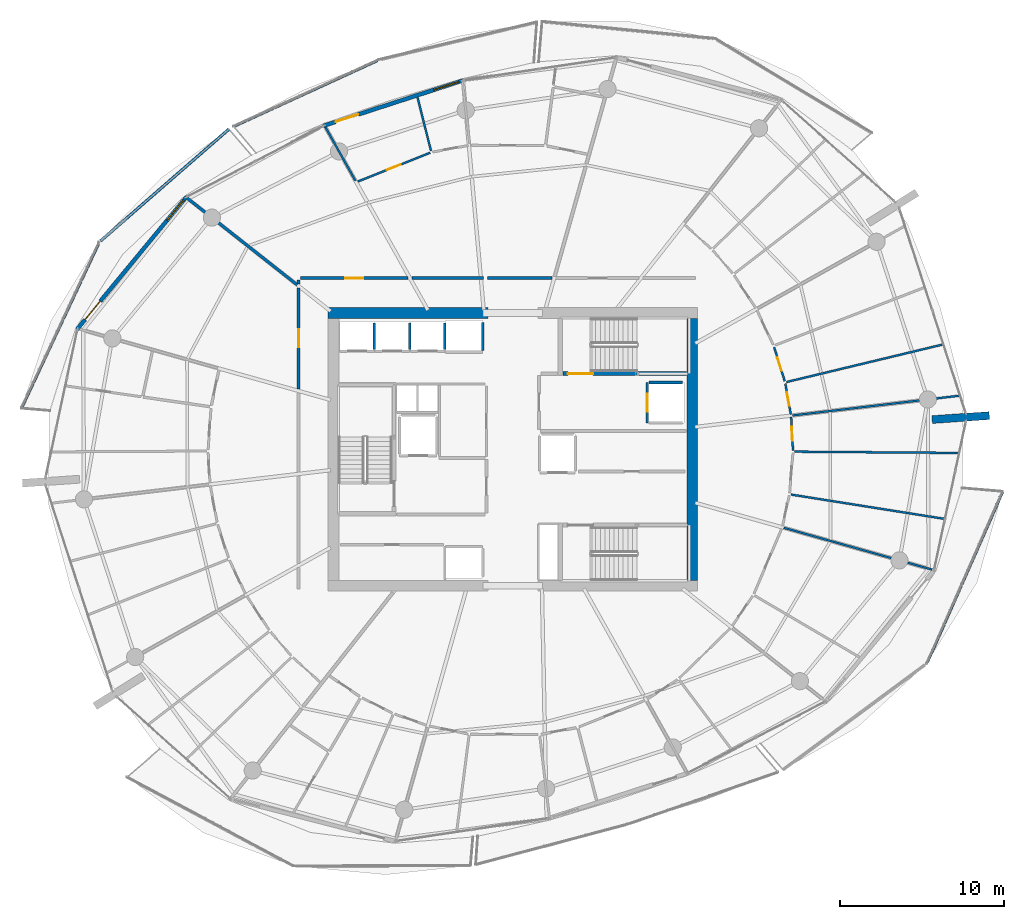
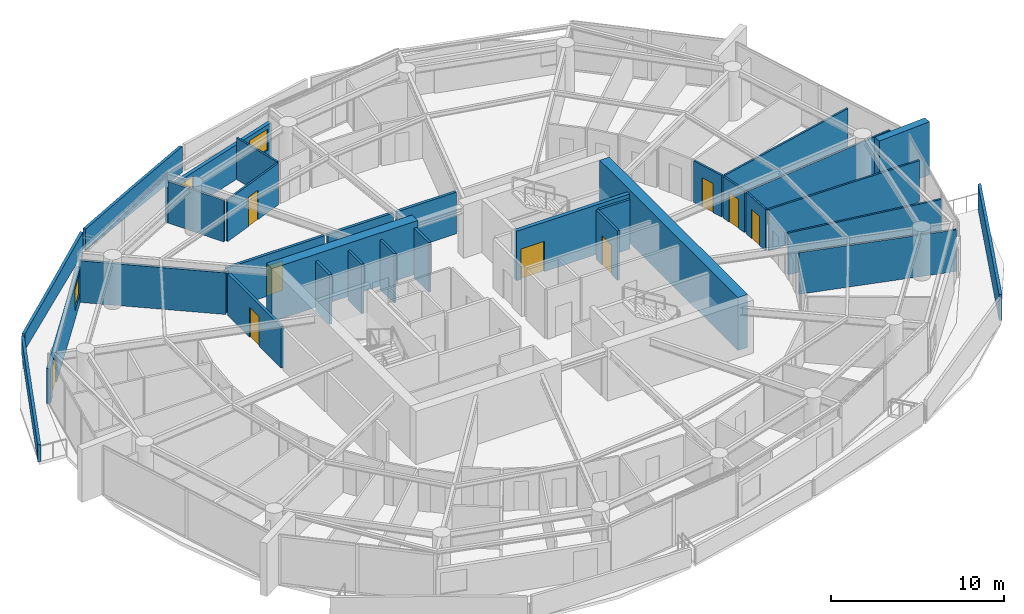
# One storey, part 14 of 21: 33 walls, 10 doors, 2 windows, 12 openings.
"""IFC4 building model written with IfcOpenShell, lengths in metres."""

from ifc_helpers import new_model, si_unit, direction, frame, frame_2d, origin, place, context, subcontext, project, spatial, polyline, rectangle, outline, extrude, material, layer, layer_set, type_object, element, fill, save


model = new_model("IFC4")

# Units and contexts
model_context = context("Model", 3, precision=1e-05, world=origin(), true_north=direction((0.0, 1.0)))
body_context = subcontext(model_context, "Body", "Model", "MODEL_VIEW")
ifc_project = project(units=[si_unit("LENGTHUNIT", "METRE"), si_unit("AREAUNIT", "SQUARE_METRE"), si_unit("VOLUMEUNIT", "CUBIC_METRE"), si_unit("PLANEANGLEUNIT", "RADIAN"), si_unit("MASSUNIT", "GRAM", prefix="KILO")], contexts=[model_context])

# Site, building, storey
site_placement = place(None, origin())
site = spatial("IfcSite", under=ifc_project, at=site_placement, CompositionType="ELEMENT")
building_placement = place(site_placement, origin())
building = spatial("IfcBuilding", under=site, at=building_placement, Name="Kazma Halo Residences", CompositionType="ELEMENT")
storey_placement = place(building_placement, frame((0.0, 0.0, 184.050048828125)))
storey = spatial("IfcBuildingStorey", under=building, at=storey_placement, Name="L46", CompositionType="ELEMENT", Elevation=184.050048828125)

# Walls
ifc_material_1 = material(Name="White Concrete C50/60 Balustrade", Category="concrete")
ifc_layer_1 = layer(ifc_material_1, 0.179931640625)
ifc_layer_set_1 = layer_set([ifc_layer_1], Name="White Concrete C50/60 Balustrade")
wall_type_1 = type_object("IfcWallType", Name="WL-BAL-WAVE-180", PredefinedType="PARAPET", material=ifc_layer_set_1)
wall_1_placement = place(storey_placement, frame((40.160888671875, 65.74072265625, 0.0), z_axis=(0.0, 0.0, 1.0), x_axis=(-0.9090221771, -0.416747743294, 0.0)))
element("IfcWall", 1, at=wall_1_placement, inside=storey, type_object=wall_type_1, Name="L46 white wave balustrade wall NNW.2", PredefinedType="PARAPET", context=body_context, shape_type="SweptSolid", body=[
    extrude(outline(polyline([(0.0, 0.0), (9.66845703125, 0.0), (9.66845703125, 1.4970703125), (4.834228515625, 1.696044921875), (0.0, 1.83203125), (0.0, 0.0)])), frame((0.0, 0.08984375, 0.0), z_axis=(0.0, -1.0, 0.0), x_axis=(1.0, 0.0, 0.0)), (0.0, 0.0, 1.0), 0.179931640625),
])
wall_2_placement = place(storey_placement, frame((31.09814453125, 61.54638671875, 0.0), z_axis=(0.0, 0.0, 1.0), x_axis=(-0.754130048188, -0.65672511024, 0.0)))
element("IfcWall", 2, at=wall_2_placement, inside=storey, type_object=wall_type_1, Name="L46 white wave balustrade wall NW.1", PredefinedType="PARAPET", context=body_context, shape_type="SweptSolid", body=[
    extrude(outline(polyline([(0.0, 0.0), (10.38427734375, 0.0), (10.384033203125, 1.14794921875), (5.192138671875, 1.283935546875), (0.0, 1.48291015625), (0.0, 0.0)])), frame((0.0, 0.08984375, 0.0), z_axis=(0.0, -1.0, 0.0), x_axis=(1.0, 0.0, 0.0)), (0.0, 0.0, 1.0), 0.179931640625),
])
wall_3_placement = place(storey_placement, frame((23.125732421875, 54.539306640625, 0.0), z_axis=(0.0, 0.0, 1.0), x_axis=(-0.424187068479, -0.90557458607, 0.0)))
element("IfcWall", 3, at=wall_3_placement, inside=storey, type_object=wall_type_1, Name="L46 white wave balustrade wall NW.2", PredefinedType="PARAPET", context=body_context, shape_type="SweptSolid", body=[
    extrude(outline(polyline([(0.0, 0.0), (11.075927734375, 0.0), (11.075927734375, 1.223876953125), (5.5380859375, 1.126953125), (0.0, 1.14794921875), (0.0, 0.0)])), frame((0.0, 0.08984375, 0.0), z_axis=(0.0, -1.0, 0.0), x_axis=(1.0, 0.0, 0.0)), (0.0, 0.0, 1.0), 0.179931640625),
])
wall_4_placement = place(storey_placement, frame((73.727783203125, 29.025390625, 0.0), z_axis=(0.0, 0.0, 1.0), x_axis=(0.403762319035, 0.914863918694, 0.0)))
element("IfcWall", 4, at=wall_4_placement, inside=storey, type_object=wall_type_1, Name="L46 white wave balustrade wall SE.2", PredefinedType="PARAPET", context=body_context, shape_type="SweptSolid", body=[
    extrude(outline(polyline([(0.0, 0.0), (11.3701171875, 0.0), (11.369873046875, 1.755859375), (5.684814453125, 1.85302734375), (0.0, 1.83203125), (0.0, 0.0)])), frame((0.0, 0.08984375, 0.0), z_axis=(0.0, -1.0, 0.0), x_axis=(1.0, 0.0, 0.0)), (0.0, 0.0, 1.0), 0.179931640625),
])
ifc_material_2 = material(Name="Pale Concrete C60/75", Category="concrete")
ifc_layer_2 = layer(ifc_material_2, 0.47998046875)
ifc_layer_set_2 = layer_set([ifc_layer_2], Name="Pale Concrete C60/75")
wall_type_2 = type_object("IfcWallType", Name="WL-BLADE-480", PredefinedType="SOLIDWALL", material=ifc_layer_set_2)
wall_5_placement = place(storey_placement, frame((74.0126953125, 43.819091796875, 0.0), z_axis=(0.0, 0.0, 1.0), x_axis=(0.997568676264, 0.069690287244, 0.0)))
element("IfcWall", 5, at=wall_5_placement, inside=storey, type_object=wall_type_2, Name="L46 pale concrete structural blade fin wall BW-04", PredefinedType="SOLIDWALL", context=body_context, shape_type="SweptSolid", body=[
    extrude(rectangle(XDim=3.499755859375, YDim=0.47998046875, at=frame_2d((1.75, 0.0))), origin(), (0.0, 0.0, 1.0), 3.75),
])
ifc_material_3 = material(Name="Concrete C60/75", Category="concrete")
ifc_layer_3 = layer(ifc_material_3, 0.64990234375)
ifc_layer_set_3 = layer_set([ifc_layer_3], Name="Concrete C60/75")
wall_type_3 = type_object("IfcWallType", Name="WL-CORE-650", PredefinedType="SHEAR", material=ifc_layer_set_3)
wall_6_placement = place(storey_placement, frame((37.14990234375, 50.324951171875, 0.0), z_axis=(0.0, 0.0, 1.0), x_axis=(1.0, 0.0, 0.0)))
element("IfcWall", 6, at=wall_6_placement, inside=storey, type_object=wall_type_3, Name="L46 central core shear wall NW", PredefinedType="SHEAR", context=body_context, shape_type="SweptSolid", body=[
    extrude(rectangle(XDim=9.75, YDim=0.64990234375, at=frame_2d((4.875, 0.0))), origin(), (0.0, 0.0, 1.0), 3.75),
])
wall_7_placement = place(storey_placement, frame((59.375, 34.0, 0.0), z_axis=(0.0, 0.0, 1.0), x_axis=(0.0, 1.0, 0.0)))
element("IfcWall", 7, at=wall_7_placement, inside=storey, type_object=wall_type_3, Name="L46 central core shear wall E", PredefinedType="SHEAR", context=body_context, shape_type="SweptSolid", body=[
    extrude(rectangle(XDim=16.0, YDim=0.64990234375, at=frame_2d((8.0, 0.0))), origin(), (0.0, 0.0, 1.0), 3.75),
])
ifc_material_4 = material(Name="Acoustic Twin-Stud Gypsum")
ifc_layer_4 = layer(ifc_material_4, 0.179931640625)
ifc_layer_set_4 = layer_set([ifc_layer_4], Name="Acoustic Twin-Stud Gypsum")
wall_type_4 = type_object("IfcWallType", Name="WL-DEM-180", PredefinedType="PARTITIONING", material=ifc_layer_set_4)
wall_8_placement = place(storey_placement, frame((35.263671875, 52.04052734375, 0.0), z_axis=(0.0, 0.0, 1.0), x_axis=(-0.785322457947, 0.619086938195, 0.0)))
element("IfcWall", 8, at=wall_8_placement, inside=storey, type_object=wall_type_4, Name="L46 apartment demising radial wall 05", PredefinedType="PARTITIONING", context=body_context, shape_type="SweptSolid", body=[
    extrude(rectangle(XDim=8.609130859375, YDim=0.179931640625, at=frame_2d((4.3046875, 0.0))), origin(), (0.0, 0.0, 1.0), 2.93994140625),
])

# Wall, opening, door
wall_9_placement = place(storey_placement, frame((42.027587890625, 52.449951171875, 0.0), z_axis=(0.0, 0.0, 1.0), x_axis=(-1.0, 0.0, 0.0)))
wall_9 = element("IfcWall", 9, at=wall_9_placement, inside=storey, type_object=wall_type_4, Name="L46 Apartment 1 entrance corridor wall", PredefinedType="PARTITIONING", context=body_context, shape_type="SweptSolid", body=[
    extrude(rectangle(XDim=6.5576171875, YDim=0.179931640625, at=frame_2d((3.27880859375, 0.0))), origin(), (0.0, 0.0, 1.0), 2.93994140625),
])
opening_1_placement = place(wall_9_placement, frame((2.72900390625, 0.0, 0.0)))
opening_1 = element("IfcOpeningElement", 10, at=opening_1_placement, cuts=wall_9, Name="Opening DA-1100", PredefinedType="OPENING", context=body_context, shape_type="SweptSolid", body=[
    extrude(rectangle(XDim=1.10009765625, YDim=2.10009765625, at=frame_2d((0.550048828125, 1.050048828125))), frame((0.0, 0.099853515625, 0.0), z_axis=(0.0, -1.0, 0.0), x_axis=(1.0, 0.0, 0.0)), (0.0, 0.0, 1.0), 0.199951171875),
])
ifc_material_5 = material(Name="Acoustic Walnut Fire Leaf")
door_type_1 = type_object("IfcDoorType", Name="DR-FD60-1100", OperationType="NOTDEFINED", PredefinedType="DOOR", material=ifc_material_5)
door_1_placement = place(opening_1_placement, origin())
door_1 = element("IfcDoor", 11, at=door_1_placement, inside=storey, type_object=door_type_1, Name="L46 Apartment 1 entrance fire door", OperationType="SINGLE_SWING_RIGHT", OverallHeight=2.10009765625, OverallWidth=1.10009765625, PredefinedType="DOOR", context=body_context, shape_type="SweptSolid", body=[
    extrude(rectangle(XDim=1.10009765625, YDim=2.10009765625, at=frame_2d((0.550048828125, 1.050048828125))), frame((0.0, 0.02490234375, 0.0), z_axis=(0.0, -1.0, 0.0), x_axis=(1.0, 0.0, 0.0)), (0.0, 0.0, 1.0), 0.050048828125),
])
fill(opening_1, door_1)

# Walls
wall_10_placement = place(storey_placement, frame((35.35009765625, 52.330078125, 0.0), z_axis=(0.0, 0.0, 1.0), x_axis=(0.0, -1.0, 0.0)))
element("IfcWall", 12, at=wall_10_placement, inside=storey, type_object=wall_type_4, Name="L46 Apartment 1 entrance corridor wall", PredefinedType="PARTITIONING", context=body_context, shape_type="SweptSolid", body=[
    extrude(rectangle(XDim=0.237548828125, YDim=0.179931640625, at=frame_2d((0.11865234375, 0.0))), origin(), (0.0, 0.0, 1.0), 2.93994140625),
])
wall_11_placement = place(storey_placement, frame((50.8271484375, 52.449951171875, 0.0), z_axis=(0.0, 0.0, 1.0), x_axis=(-1.0, 0.0, 0.0)))
element("IfcWall", 13, at=wall_11_placement, inside=storey, type_object=wall_type_4, Name="L46 Apartment 1 inner wall 2", PredefinedType="PARTITIONING", context=body_context, shape_type="SweptSolid", body=[
    extrude(rectangle(XDim=3.94384765625, YDim=0.179931640625, at=frame_2d((1.971923828125, 0.0))), origin(), (0.0, 0.0, 1.0), 2.93994140625),
])
wall_12_placement = place(storey_placement, frame((46.643310546875, 52.449951171875, 0.0), z_axis=(0.0, 0.0, 1.0), x_axis=(-1.0, 0.0, 0.0)))
element("IfcWall", 14, at=wall_12_placement, inside=storey, type_object=wall_type_4, Name="L46 Apartment 1 inner wall 3", PredefinedType="PARTITIONING", context=body_context, shape_type="SweptSolid", body=[
    extrude(rectangle(XDim=4.375732421875, YDim=0.179931640625, at=frame_2d((2.18798828125, 0.0))), origin(), (0.0, 0.0, 1.0), 2.93994140625),
])

# Wall, opening, door
wall_13_placement = place(storey_placement, frame((35.35009765625, 51.8525390625, 0.0), z_axis=(0.0, 0.0, 1.0), x_axis=(0.0, -1.0, 0.0)))
wall_13 = element("IfcWall", 15, at=wall_13_placement, inside=storey, type_object=wall_type_4, Name="L46 Apartment 2 entrance corridor wall", PredefinedType="PARTITIONING", context=body_context, shape_type="SweptSolid", body=[
    extrude(rectangle(XDim=6.164794921875, YDim=0.179931640625, at=frame_2d((3.08251953125, 0.0))), origin(), (0.0, 0.0, 1.0), 2.93994140625),
])
opening_2_placement = place(wall_13_placement, frame((2.532470703125, 0.0, 0.0)))
opening_2 = element("IfcOpeningElement", 16, at=opening_2_placement, cuts=wall_13, Name="Opening DA-1100", PredefinedType="OPENING", context=body_context, shape_type="SweptSolid", body=[
    extrude(rectangle(XDim=1.10009765625, YDim=2.10009765625, at=frame_2d((0.550048828125, 1.050048828125))), frame((0.0, 0.099853515625, 0.0), z_axis=(0.0, -1.0, 0.0), x_axis=(1.0, 0.0, 0.0)), (0.0, 0.0, 1.0), 0.199951171875),
])
door_2_placement = place(opening_2_placement, origin())
door_2 = element("IfcDoor", 17, at=door_2_placement, inside=storey, type_object=door_type_1, Name="L46 Apartment 2 entrance fire door", OperationType="SINGLE_SWING_LEFT", OverallHeight=2.10009765625, OverallWidth=1.10009765625, PredefinedType="DOOR", context=body_context, shape_type="SweptSolid", body=[
    extrude(rectangle(XDim=1.10009765625, YDim=2.10009765625, at=frame_2d((0.550048828125, 1.050048828125))), frame((0.0, 0.02490234375, 0.0), z_axis=(0.0, -1.0, 0.0), x_axis=(1.0, 0.0, 0.0)), (0.0, 0.0, 1.0), 0.050048828125),
])
fill(opening_2, door_2)

# Wall, openings, door, window
ifc_material_6 = material(Name="Insulated Pale-Metal Composite Wall")
ifc_layer_5 = layer(ifc_material_6, 0.239990234375)
ifc_layer_set_5 = layer_set([ifc_layer_5], Name="Insulated Pale-Metal Composite Wall")
wall_type_5 = type_object("IfcWallType", Name="WL-EXT-HOST-240", PredefinedType="SOLIDWALL", material=ifc_layer_set_5)
wall_14_placement = place(storey_placement, frame((45.38427734375, 64.518798828125, 0.0), z_axis=(0.0, 0.0, 1.0), x_axis=(-0.951058543936, -0.309010753869, 0.0)))
wall_14 = element("IfcWall", 18, at=wall_14_placement, inside=storey, type_object=wall_type_5, Name="L46 exterior terrace-access wall B04", PredefinedType="SOLIDWALL", context=body_context, shape_type="SweptSolid", body=[
    extrude(rectangle(XDim=8.942138671875, YDim=0.239990234375, at=frame_2d((4.47119140625, 0.0))), origin(), (0.0, 0.0, 1.0), 2.449951171875),
])
opening_3_placement = place(wall_14_placement, frame((6.721923828125, 0.0, 0.0)))
opening_3 = element("IfcOpeningElement", 19, at=opening_3_placement, cuts=wall_14, Name="Opening DTR-1600", PredefinedType="OPENING", context=body_context, shape_type="SweptSolid", body=[
    extrude(rectangle(XDim=1.449951171875, YDim=2.14990234375, at=frame_2d((0.72509765625, 1.074951171875))), frame((0.0, 0.1298828125, 0.0), z_axis=(0.0, -1.0, 0.0), x_axis=(1.0, 0.0, 0.0)), (0.0, 0.0, 1.0), 0.260009765625),
])
opening_4_placement = place(wall_14_placement, frame((0.280029296875, 0.0, 0.64990234375)))
opening_4 = element("IfcOpeningElement", 20, at=opening_4_placement, cuts=wall_14, Name="Opening W-1800", PredefinedType="OPENING", context=body_context, shape_type="SweptSolid", body=[
    extrude(rectangle(XDim=1.60009765625, YDim=1.5, at=frame_2d((0.800048828125, 0.75))), frame((0.0, 0.1298828125, 0.0), z_axis=(0.0, -1.0, 0.0), x_axis=(1.0, 0.0, 0.0)), (0.0, 0.0, 1.0), 0.260009765625),
])
ifc_material_7 = material(Name="Aluminium AW-6063 T6 Double-Glazed Terrace Door", Category="aluminium")
door_type_2 = type_object("IfcDoorType", Name="DR-EXT-TERR-1600", OperationType="NOTDEFINED", PredefinedType="DOOR", material=ifc_material_7)
door_3_placement = place(opening_3_placement, origin())
door_3 = element("IfcDoor", 21, at=door_3_placement, inside=storey, type_object=door_type_2, Name="L46 B04 balcony terrace door", OperationType="DOUBLE_DOOR_SLIDING", OverallHeight=2.14990234375, OverallWidth=1.449951171875, PredefinedType="DOOR", context=body_context, shape_type="SweptSolid", body=[
    extrude(rectangle(XDim=1.449951171875, YDim=2.14990234375, at=frame_2d((0.72509765625, 1.074951171875))), frame((0.0, 0.02490234375, 0.0), z_axis=(0.0, -1.0, 0.0), x_axis=(1.0, 0.0, 0.0)), (0.0, 0.0, 1.0), 0.050048828125),
])
fill(opening_3, door_3)
ifc_material_8 = material(Name="Clear Triple-Silver Low-E Glass in Aluminium AW-6063 T6 Frame", Category="aluminium")
window_type = type_object("IfcWindowType", Name="WIN-RES-1800", PartitioningType="DOUBLE_PANEL_VERTICAL", PredefinedType="WINDOW", material=ifc_material_8)
window_1_placement = place(opening_4_placement, origin())
window_1 = element("IfcWindow", 22, at=window_1_placement, inside=storey, type_object=window_type, Name="L46 B04 apartment window", OverallHeight=1.5, OverallWidth=1.60009765625, PartitioningType="SINGLE_PANEL", PredefinedType="WINDOW", context=body_context, shape_type="SweptSolid", body=[
    extrude(rectangle(XDim=1.60009765625, YDim=1.5, at=frame_2d((0.800048828125, 0.75))), frame((0.0, 0.030029296875, 0.0), z_axis=(0.0, -1.0, 0.0), x_axis=(1.0, 0.0, 0.0)), (0.0, 0.0, 1.0), 0.06005859375),
])
fill(opening_4, window_1)

wall_15_placement = place(storey_placement, frame((28.514892578125, 57.42431640625, 0.0), z_axis=(0.0, 0.0, 1.0), x_axis=(-0.636759394418, -0.771062561418, 0.0)))
wall_15 = element("IfcWall", 23, at=wall_15_placement, inside=storey, type_object=wall_type_5, Name="L46 exterior terrace-access wall B06", PredefinedType="SOLIDWALL", context=body_context, shape_type="SweptSolid", body=[
    extrude(rectangle(XDim=10.494384765625, YDim=0.239990234375, at=frame_2d((5.2470703125, 0.0))), origin(), (0.0, 0.0, 1.0), 2.449951171875),
])
opening_5_placement = place(wall_15_placement, frame((8.2744140625, 0.0, 0.0)))
opening_5 = element("IfcOpeningElement", 24, at=opening_5_placement, cuts=wall_15, Name="Opening DTR-1600", PredefinedType="OPENING", context=body_context, shape_type="SweptSolid", body=[
    extrude(rectangle(XDim=1.449951171875, YDim=2.14990234375, at=frame_2d((0.72509765625, 1.074951171875))), frame((0.0, 0.1298828125, 0.0), z_axis=(0.0, -1.0, 0.0), x_axis=(1.0, 0.0, 0.0)), (0.0, 0.0, 1.0), 0.260009765625),
])
opening_6_placement = place(wall_15_placement, frame((0.280029296875, 0.0, 0.64990234375)))
opening_6 = element("IfcOpeningElement", 25, at=opening_6_placement, cuts=wall_15, Name="Opening W-1800", PredefinedType="OPENING", context=body_context, shape_type="SweptSolid", body=[
    extrude(rectangle(XDim=1.60009765625, YDim=1.5, at=frame_2d((0.800048828125, 0.75))), frame((0.0, 0.1298828125, 0.0), z_axis=(0.0, -1.0, 0.0), x_axis=(1.0, 0.0, 0.0)), (0.0, 0.0, 1.0), 0.260009765625),
])
door_4_placement = place(opening_5_placement, origin())
door_4 = element("IfcDoor", 26, at=door_4_placement, inside=storey, type_object=door_type_2, Name="L46 B06 balcony terrace door", OperationType="DOUBLE_DOOR_SLIDING", OverallHeight=2.14990234375, OverallWidth=1.449951171875, PredefinedType="DOOR", context=body_context, shape_type="SweptSolid", body=[
    extrude(rectangle(XDim=1.449951171875, YDim=2.14990234375, at=frame_2d((0.72509765625, 1.074951171875))), frame((0.0, 0.02490234375, 0.0), z_axis=(0.0, -1.0, 0.0), x_axis=(1.0, 0.0, 0.0)), (0.0, 0.0, 1.0), 0.050048828125),
])
fill(opening_5, door_4)
window_2_placement = place(opening_6_placement, origin())
window_2 = element("IfcWindow", 27, at=window_2_placement, inside=storey, type_object=window_type, Name="L46 B06 apartment window", OverallHeight=1.5, OverallWidth=1.60009765625, PartitioningType="SINGLE_PANEL", PredefinedType="WINDOW", context=body_context, shape_type="SweptSolid", body=[
    extrude(rectangle(XDim=1.60009765625, YDim=1.5, at=frame_2d((0.800048828125, 0.75))), frame((0.0, 0.030029296875, 0.0), z_axis=(0.0, -1.0, 0.0), x_axis=(1.0, 0.0, 0.0)), (0.0, 0.0, 1.0), 0.06005859375),
])
fill(opening_6, window_2)

# Walls
ifc_material_9 = material(Name="Fire-Rated Blockwork Masonry", Category="masonry")
ifc_layer_6 = layer(ifc_material_9, 0.199951171875)
ifc_layer_set_6 = layer_set([ifc_layer_6], Name="Fire-Rated Blockwork Masonry")
wall_type_6 = type_object("IfcWallType", Name="WL-FLB-200", PredefinedType="PARTITIONING", material=ifc_layer_set_6)
for number, where, z_axis, x_axis, name in (
    (28, (39.97509765625, 48.094970703125, 0.0), (0.0, 0.0, 1.0), (0.0, 1.0, 0.0), "L46 lift shaft PM-01 side wall E"),
    (29, (42.125, 48.094970703125, 0.0), (0.0, 0.0, 1.0), (0.0, 1.0, 0.0), "L46 lift shaft PM-02 side wall E"),
    (30, (44.27490234375, 48.094970703125, 0.0), (0.0, 0.0, 1.0), (0.0, 1.0, 0.0), "L46 lift shaft PM-03 side wall E"),
):
    element("IfcWall", number, at=place(storey_placement, frame(where, z_axis=z_axis, x_axis=x_axis)), inside=storey, type_object=wall_type_6, Name=name, PredefinedType="PARTITIONING", context=body_context, shape_type="SweptSolid", body=[
        extrude(rectangle(XDim=1.610107421875, YDim=0.159912109375, at=frame_2d((0.80517578125, 0.0))), origin(), (0.0, 0.0, 1.0), 3.5),
    ])
wall_16_placement = place(storey_placement, frame((46.580078125, 48.044921875, 0.0), z_axis=(0.0, 0.0, 1.0), x_axis=(0.0, 1.0, 0.0)))
element("IfcWall", 31, at=wall_16_placement, inside=storey, type_object=wall_type_6, Name="L46 lift shaft PX-01 side wall E", PredefinedType="PARTITIONING", context=body_context, shape_type="SweptSolid", body=[
    extrude(rectangle(XDim=1.7099609375, YDim=0.159912109375, at=frame_2d((0.85498046875, 0.0))), origin(), (0.0, 0.0, 1.0), 3.5),
])

# Wall, opening, door
wall_17_placement = place(storey_placement, frame((56.6201171875, 46.080078125, 0.0), z_axis=(0.0, 0.0, 1.0), x_axis=(0.0, -1.0, 0.0)))
wall_17 = element("IfcWall", 32, at=wall_17_placement, inside=storey, type_object=wall_type_6, Name="L46 lift shaft FL-02 front wall", PredefinedType="PARTITIONING", context=body_context, shape_type="SweptSolid", body=[
    extrude(rectangle(XDim=2.4599609375, YDim=0.159912109375, at=frame_2d((1.22998046875, 0.0))), origin(), (0.0, 0.0, 1.0), 3.5),
])
opening_7_placement = place(wall_17_placement, frame((0.679931640625, 0.0, 0.0)))
opening_7 = element("IfcOpeningElement", 33, at=opening_7_placement, cuts=wall_17, Name="Opening LD-FL-02", PredefinedType="OPENING", context=body_context, shape_type="SweptSolid", body=[
    extrude(rectangle(XDim=1.10009765625, YDim=2.10009765625, at=frame_2d((0.550048828125, 1.050048828125))), frame((0.0, 0.08984375, 0.0), z_axis=(0.0, -1.0, 0.0), x_axis=(1.0, 0.0, 0.0)), (0.0, 0.0, 1.0), 0.179931640625),
])
ifc_material_10 = material(Name="Stainless Steel Fire-Rated", Category="steel")
door_type_3 = type_object("IfcDoorType", Name="DR-LIFT-SLD-1100", OperationType="DOUBLE_DOOR_SLIDING", PredefinedType="DOOR", material=ifc_material_10)
door_5_placement = place(opening_7_placement, origin())
door_5 = element("IfcDoor", 34, at=door_5_placement, inside=storey, type_object=door_type_3, Name="L46 lift FL-02 sliding landing door", OperationType="DOUBLE_DOOR_SLIDING", OverallHeight=2.10009765625, OverallWidth=1.10009765625, PredefinedType="DOOR", context=body_context, shape_type="SweptSolid", body=[
    extrude(rectangle(XDim=1.10009765625, YDim=2.10009765625, at=frame_2d((0.550048828125, 1.050048828125))), frame((0.0, 0.02490234375, 0.0), z_axis=(0.0, -1.0, 0.0), x_axis=(1.0, 0.0, 0.0)), (0.0, 0.0, 1.0), 0.050048828125),
])
fill(opening_7, door_5)

# Walls
wall_18_placement = place(storey_placement, frame((56.719970703125, 46.080078125, 0.0), z_axis=(0.0, 0.0, 1.0), x_axis=(1.0, 0.0, 0.0)))
element("IfcWall", 35, at=wall_18_placement, inside=storey, type_object=wall_type_6, Name="L46 lift shaft FL-02 side wall N", PredefinedType="PARTITIONING", context=body_context, shape_type="SweptSolid", body=[
    extrude(rectangle(XDim=2.06005859375, YDim=0.159912109375, at=frame_2d((1.030029296875, 0.0))), origin(), (0.0, 0.0, 1.0), 3.5),
])
ifc_material_11 = material(Name="Gypsum Plasterboard Partition")
ifc_layer_7 = layer(ifc_material_11, 0.125)
ifc_layer_set_7 = layer_set([ifc_layer_7], Name="Gypsum Plasterboard Partition")
wall_type_7 = type_object("IfcWallType", Name="WL-PART-125", PredefinedType="PARTITIONING", material=ifc_layer_set_7)
wall_19_placement = place(storey_placement, frame((38.81689453125, 58.397705078125, 0.0), z_axis=(0.0, 0.0, 1.0), x_axis=(-0.488615290892, 0.872499339545, 0.0)))
element("IfcWall", 36, at=wall_19_placement, inside=storey, type_object=wall_type_7, Name="L46 Apartment 1 living radial partition 3", PredefinedType="PARTITIONING", context=body_context, shape_type="SweptSolid", body=[
    extrude(rectangle(XDim=3.741455078125, YDim=0.125, at=frame_2d((1.87060546875, 0.0))), origin(), (0.0, 0.0, 1.0), 2.93994140625),
])
wall_20_placement = place(storey_placement, frame((43.4287109375, 60.21923828125, 0.0), z_axis=(0.0, 0.0, 1.0), x_axis=(-0.243337157577, 0.969941765129, 0.0)))
element("IfcWall", 37, at=wall_20_placement, inside=storey, type_object=wall_type_7, Name="L46 Apartment 1 mid-bay wall 3", PredefinedType="PARTITIONING", context=body_context, shape_type="SweptSolid", body=[
    extrude(rectangle(XDim=3.3681640625, YDim=0.125, at=frame_2d((1.68408203125, 0.0))), origin(), (0.0, 0.0, 1.0), 2.93994140625),
])

# Wall, opening, door
wall_21_placement = place(storey_placement, frame((43.376220703125, 60.1025390625, 0.0), z_axis=(0.0, 0.0, 1.0), x_axis=(-0.92934194707, -0.369220185548, 0.0)))
wall_21 = element("IfcWall", 38, at=wall_21_placement, inside=storey, type_object=wall_type_7, Name="L46 Apartment 1 Secondary Bedroom hall wall", PredefinedType="PARTITIONING", context=body_context, shape_type="SweptSolid", body=[
    extrude(rectangle(XDim=4.753662109375, YDim=0.125, at=frame_2d((2.376953125, 0.0))), origin(), (0.0, 0.0, 1.0), 2.93994140625),
])
opening_8_placement = place(wall_21_placement, frame((1.9267578125, 0.0, 0.0)))
opening_8 = element("IfcOpeningElement", 39, at=opening_8_placement, cuts=wall_21, Name="Opening DI-950", PredefinedType="OPENING", context=body_context, shape_type="SweptSolid", body=[
    extrude(rectangle(XDim=0.89990234375, YDim=2.080078125, at=frame_2d((0.449951171875, 1.0400390625))), frame((0.0, 0.072509765625, 0.0), z_axis=(0.0, -1.0, 0.0), x_axis=(1.0, 0.0, 0.0)), (0.0, 0.0, 1.0), 0.14501953125),
])
ifc_material_12 = material(Name="Timber Veneer Flush Leaf", Category="wood")
door_type_4 = type_object("IfcDoorType", Name="DR-INT-950", OperationType="NOTDEFINED", PredefinedType="DOOR", material=ifc_material_12)
door_6_placement = place(opening_8_placement, origin())
door_6 = element("IfcDoor", 40, at=door_6_placement, inside=storey, type_object=door_type_4, Name="L46 Apartment 1 Secondary Bedroom door", OperationType="SINGLE_SWING_LEFT", OverallHeight=2.080078125, OverallWidth=0.89990234375, PredefinedType="DOOR", context=body_context, shape_type="SweptSolid", body=[
    extrude(rectangle(XDim=0.89990234375, YDim=2.080078125, at=frame_2d((0.449951171875, 1.0400390625))), frame((0.0, 0.02490234375, 0.0), z_axis=(0.0, -1.0, 0.0), x_axis=(1.0, 0.0, 0.0)), (0.0, 0.0, 1.0), 0.050048828125),
])
fill(opening_8, door_6)

# Walls
wall_22_placement = place(storey_placement, frame((64.965087890625, 37.21533203125, 0.0), z_axis=(0.0, 0.0, 1.0), x_axis=(0.962454024137, -0.271444748378, 0.0)))
element("IfcWall", 41, at=wall_22_placement, inside=storey, type_object=wall_type_7, Name="L46 Apartment 3 radial partition 14", PredefinedType="PARTITIONING", context=body_context, shape_type="SweptSolid", body=[
    extrude(rectangle(XDim=9.4033203125, YDim=0.125, at=frame_2d((4.70166015625, 0.0))), origin(), (0.0, 0.0, 1.0), 2.93994140625),
])
wall_23_placement = place(storey_placement, frame((65.400146484375, 39.244140625, 0.0), z_axis=(0.0, 0.0, 1.0), x_axis=(0.987688031288, -0.156436417916, 0.0)))
element("IfcWall", 42, at=wall_23_placement, inside=storey, type_object=wall_type_7, Name="L46 Apartment 3 bay wall 1 14", PredefinedType="PARTITIONING", context=body_context, shape_type="SweptSolid", body=[
    extrude(rectangle(XDim=9.498046875, YDim=0.125, at=frame_2d((4.7490234375, 0.0))), origin(), (0.0, 0.0, 1.0), 2.93994140625),
])
wall_24_placement = place(storey_placement, frame((65.616455078125, 41.861572265625, 0.0), z_axis=(0.0, 0.0, 1.0), x_axis=(0.999969275456, -0.007838886617, 0.0)))
element("IfcWall", 43, at=wall_24_placement, inside=storey, type_object=wall_type_7, Name="L46 Apartment 3 bay wall 2 14", PredefinedType="PARTITIONING", context=body_context, shape_type="SweptSolid", body=[
    extrude(rectangle(XDim=10.028564453125, YDim=0.125, at=frame_2d((5.01416015625, 0.0))), origin(), (0.0, 0.0, 1.0), 2.93994140625),
])

# Wall, opening, door
wall_25_placement = place(storey_placement, frame((65.522216796875, 41.942138671875, 0.0), z_axis=(0.0, 0.0, 1.0), x_axis=(-0.055019552889, 0.998485277207, 0.0)))
wall_25 = element("IfcWall", 44, at=wall_25_placement, inside=storey, type_object=wall_type_7, Name="L46 Apartment 3 Sky Bedroom hall wall", PredefinedType="PARTITIONING", context=body_context, shape_type="SweptSolid", body=[
    extrude(rectangle(XDim=2.041259765625, YDim=0.125, at=frame_2d((1.0205078125, 0.0))), origin(), (0.0, 0.0, 1.0), 2.93994140625),
])
opening_9_placement = place(wall_25_placement, frame((0.595458984375, 0.0, 0.0)))
opening_9 = element("IfcOpeningElement", 45, at=opening_9_placement, cuts=wall_25, Name="Opening DB-900", PredefinedType="OPENING", context=body_context, shape_type="SweptSolid", body=[
    extrude(rectangle(XDim=0.85009765625, YDim=2.06005859375, at=frame_2d((0.425048828125, 1.030029296875))), frame((0.0, 0.072509765625, 0.0), z_axis=(0.0, -1.0, 0.0), x_axis=(1.0, 0.0, 0.0)), (0.0, 0.0, 1.0), 0.14501953125),
])
ifc_material_13 = material(Name="Moisture-Sealed Timber Leaf", Category="wood")
door_type_5 = type_object("IfcDoorType", Name="DR-BTH-900", OperationType="NOTDEFINED", PredefinedType="DOOR", material=ifc_material_13)
door_7_placement = place(opening_9_placement, origin())
door_7 = element("IfcDoor", 46, at=door_7_placement, inside=storey, type_object=door_type_5, Name="L46 Apartment 3 Sky Bedroom door", OperationType="SINGLE_SWING_RIGHT", OverallHeight=2.06005859375, OverallWidth=0.85009765625, PredefinedType="DOOR", context=body_context, shape_type="SweptSolid", body=[
    extrude(rectangle(XDim=0.85009765625, YDim=2.06005859375, at=frame_2d((0.425048828125, 1.030029296875))), frame((0.0, 0.02490234375, 0.0), z_axis=(0.0, -1.0, 0.0), x_axis=(1.0, 0.0, 0.0)), (0.0, 0.0, 1.0), 0.050048828125),
])
fill(opening_9, door_7)

# Walls
wall_26_placement = place(storey_placement, frame((65.5048828125, 44.072021484375, 0.0), z_axis=(0.0, 0.0, 1.0), x_axis=(0.993069706364, 0.117526840773, 0.0)))
element("IfcWall", 47, at=wall_26_placement, inside=storey, type_object=wall_type_7, Name="L46 Apartment 3 radial partition 15", PredefinedType="PARTITIONING", context=body_context, shape_type="SweptSolid", body=[
    extrude(rectangle(XDim=10.26806640625, YDim=0.125, at=frame_2d((5.134033203125, 0.0))), origin(), (0.0, 0.0, 1.0), 2.93994140625),
])
wall_27_placement = place(storey_placement, frame((65.130126953125, 46.112548828125, 0.0), z_axis=(0.0, 0.0, 1.0), x_axis=(0.972369708309, 0.233446247267, 0.0)))
element("IfcWall", 48, at=wall_27_placement, inside=storey, type_object=wall_type_7, Name="L46 Apartment 3 bay wall 1 15", PredefinedType="PARTITIONING", context=body_context, shape_type="SweptSolid", body=[
    extrude(rectangle(XDim=9.826416015625, YDim=0.125, at=frame_2d((4.9130859375, 0.0))), origin(), (0.0, 0.0, 1.0), 2.93994140625),
])

# Wall, opening, door
wall_28_placement = place(storey_placement, frame((65.391357421875, 44.138916015625, 0.0), z_axis=(0.0, 0.0, 1.0), x_axis=(-0.175724047716, 0.984439464393, 0.0)))
wall_28 = element("IfcWall", 49, at=wall_28_placement, inside=storey, type_object=wall_type_7, Name="L46 Apartment 3 Gulf Bedroom hall wall", PredefinedType="PARTITIONING", context=body_context, shape_type="SweptSolid", body=[
    extrude(rectangle(XDim=1.9033203125, YDim=0.125, at=frame_2d((0.95166015625, 0.0))), origin(), (0.0, 0.0, 1.0), 2.93994140625),
])
opening_10_placement = place(wall_28_placement, frame((0.52685546875, 0.0, 0.0)))
opening_10 = element("IfcOpeningElement", 50, at=opening_10_placement, cuts=wall_28, Name="Opening DB-900", PredefinedType="OPENING", context=body_context, shape_type="SweptSolid", body=[
    extrude(rectangle(XDim=0.85009765625, YDim=2.06005859375, at=frame_2d((0.425048828125, 1.030029296875))), frame((0.0, 0.072509765625, 0.0), z_axis=(0.0, -1.0, 0.0), x_axis=(1.0, 0.0, 0.0)), (0.0, 0.0, 1.0), 0.14501953125),
])
door_8_placement = place(opening_10_placement, origin())
door_8 = element("IfcDoor", 51, at=door_8_placement, inside=storey, type_object=door_type_5, Name="L46 Apartment 3 Gulf Bedroom door", OperationType="SINGLE_SWING_LEFT", OverallHeight=2.06005859375, OverallWidth=0.85009765625, PredefinedType="DOOR", context=body_context, shape_type="SweptSolid", body=[
    extrude(rectangle(XDim=0.85009765625, YDim=2.06005859375, at=frame_2d((0.425048828125, 1.030029296875))), frame((0.0, 0.02490234375, 0.0), z_axis=(0.0, -1.0, 0.0), x_axis=(1.0, 0.0, 0.0)), (0.0, 0.0, 1.0), 0.050048828125),
])
fill(opening_10, door_8)

wall_29_placement = place(storey_placement, frame((65.018798828125, 46.16796875, 0.0), z_axis=(0.0, 0.0, 1.0), x_axis=(-0.297777206139, 0.954635394014, 0.0)))
wall_29 = element("IfcWall", 52, at=wall_29_placement, inside=storey, type_object=wall_type_7, Name="L46 Apartment 3 Primary Laundry Room hall wall", PredefinedType="PARTITIONING", context=body_context, shape_type="SweptSolid", body=[
    extrude(rectangle(XDim=2.178466796875, YDim=0.125, at=frame_2d((1.08935546875, 0.0))), origin(), (0.0, 0.0, 1.0), 2.93994140625),
])
opening_11_placement = place(wall_29_placement, frame((0.664306640625, 0.0, 0.0)))
opening_11 = element("IfcOpeningElement", 53, at=opening_11_placement, cuts=wall_29, Name="Opening DB-900", PredefinedType="OPENING", context=body_context, shape_type="SweptSolid", body=[
    extrude(rectangle(XDim=0.85009765625, YDim=2.06005859375, at=frame_2d((0.425048828125, 1.030029296875))), frame((0.0, 0.072509765625, 0.0), z_axis=(0.0, -1.0, 0.0), x_axis=(1.0, 0.0, 0.0)), (0.0, 0.0, 1.0), 0.14501953125),
])
door_9_placement = place(opening_11_placement, origin())
door_9 = element("IfcDoor", 54, at=door_9_placement, inside=storey, type_object=door_type_5, Name="L46 Apartment 3 Primary Laundry Room door", OperationType="SINGLE_SWING_RIGHT", OverallHeight=2.06005859375, OverallWidth=0.85009765625, PredefinedType="DOOR", context=body_context, shape_type="SweptSolid", body=[
    extrude(rectangle(XDim=0.85009765625, YDim=2.06005859375, at=frame_2d((0.425048828125, 1.030029296875))), frame((0.0, 0.02490234375, 0.0), z_axis=(0.0, -1.0, 0.0), x_axis=(1.0, 0.0, 0.0)), (0.0, 0.0, 1.0), 0.050048828125),
])
fill(opening_11, door_9)

ifc_material_14 = material(Name="Concrete C50/60", Category="concrete")
ifc_layer_8 = layer(ifc_material_14, 0.25)
ifc_layer_set_8 = layer_set([ifc_layer_8], Name="Concrete C50/60")
wall_type_8 = type_object("IfcWallType", Name="WL-SHF-250", PredefinedType="SOLIDWALL", material=ifc_layer_set_8)
wall_30_placement = place(storey_placement, frame((51.47998046875, 46.6201171875, 0.0), z_axis=(0.0, 0.0, 1.0), x_axis=(1.0, 0.0, 0.0)))
wall_30 = element("IfcWall", 55, at=wall_30_placement, inside=storey, type_object=wall_type_8, Name="L46 exit stair ST-02 enclosure wall", PredefinedType="SOLIDWALL", context=body_context, shape_type="SweptSolid", body=[
    extrude(rectangle(XDim=7.5400390625, YDim=0.25, at=frame_2d((3.77001953125, 0.0))), origin(), (0.0, 0.0, 1.0), 3.5),
])
opening_12_placement = place(wall_30_placement, frame((0.300048828125, 0.0, 0.0)))
opening_12 = element("IfcOpeningElement", 56, at=opening_12_placement, cuts=wall_30, Name="Opening D-ST2", PredefinedType="OPENING", context=body_context, shape_type="SweptSolid", body=[
    extrude(rectangle(XDim=1.550048828125, YDim=2.14990234375, at=frame_2d((0.77490234375, 1.074951171875))), frame((0.0, 0.135009765625, 0.0), z_axis=(0.0, -1.0, 0.0), x_axis=(1.0, 0.0, 0.0)), (0.0, 0.0, 1.0), 0.27001953125),
])
ifc_material_15 = material(Name="Fire-Rated Double Steel Leaf", Category="steel")
door_type_6 = type_object("IfcDoorType", Name="DR-FD90-1550", OperationType="NOTDEFINED", PredefinedType="DOOR", material=ifc_material_15)
door_10_placement = place(opening_12_placement, origin())
door_10 = element("IfcDoor", 57, at=door_10_placement, inside=storey, type_object=door_type_6, Name="L46 exit stair ST-02 fire door", OperationType="DOUBLE_DOOR_SINGLE_SWING", OverallHeight=2.14990234375, OverallWidth=1.550048828125, PredefinedType="DOOR", context=body_context, shape_type="SweptSolid", body=[
    extrude(rectangle(XDim=1.550048828125, YDim=2.14990234375, at=frame_2d((0.77490234375, 1.074951171875))), frame((0.0, 0.02490234375, 0.0), z_axis=(0.0, -1.0, 0.0), x_axis=(1.0, 0.0, 0.0)), (0.0, 0.0, 1.0), 0.050048828125),
])
fill(opening_12, door_10)

save(model, "model.ifc")
